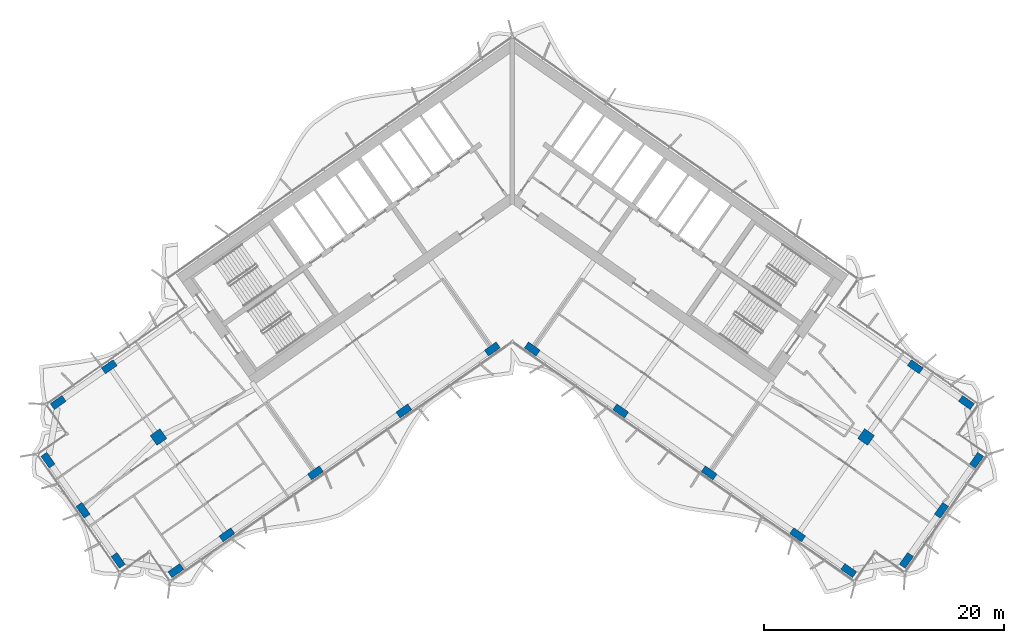
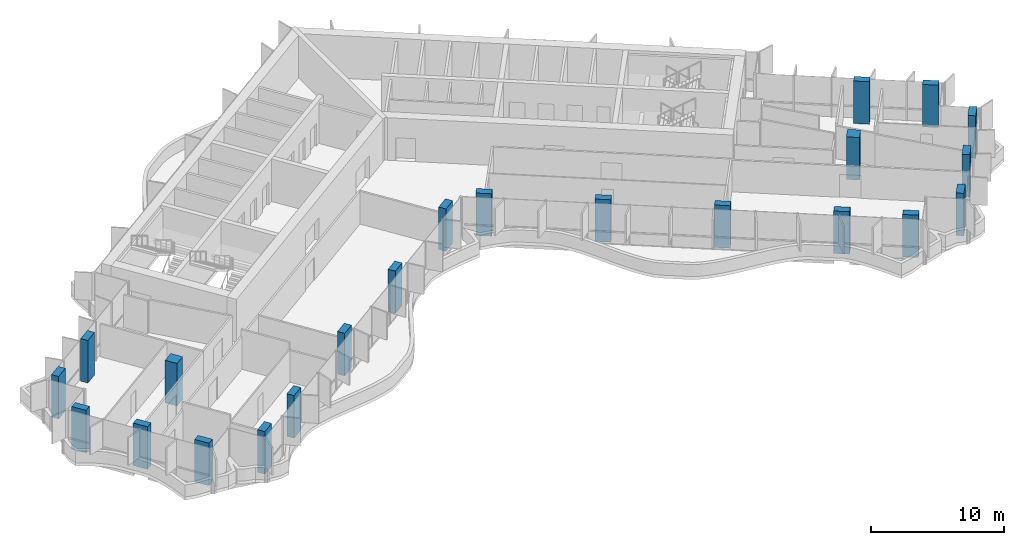
# One storey, part 1 of 22: 22 columns.
"""IFC4 building model written with IfcOpenShell, lengths in metres."""

from ifc_helpers import new_model, si_unit, direction, frame, origin, origin_2d, place, context, subcontext, project, spatial, rectangle, extrude, material, material_profile, profile_set, type_object, element, save


model = new_model("IFC4")

# Units and contexts
model_context = context("Model", 3, precision=1e-05, world=origin(), true_north=direction((0.0, 1.0)))
body_context = subcontext(model_context, "Body", "Model", "MODEL_VIEW")
ifc_project = project(units=[si_unit("LENGTHUNIT", "METRE"), si_unit("AREAUNIT", "SQUARE_METRE"), si_unit("VOLUMEUNIT", "CUBIC_METRE"), si_unit("PLANEANGLEUNIT", "RADIAN"), si_unit("MASSUNIT", "GRAM", prefix="KILO")], contexts=[model_context])

# Site, building, storey
site_placement = place(None, origin())
site = spatial("IfcSite", under=ifc_project, at=site_placement, CompositionType="ELEMENT")
building_placement = place(site_placement, origin())
building = spatial("IfcBuilding", under=site, at=building_placement, Name="Tel Ilan Convention Tower", CompositionType="ELEMENT")
storey_placement = place(building_placement, frame((0.0, 0.0, 135.89990234375)))
storey = spatial("IfcBuildingStorey", under=building, at=storey_placement, Name="L30", CompositionType="ELEMENT", Elevation=135.89990234375)

# Columns
ifc_material_1 = material(Name="Concrete C50/60", Category="concrete")
ifc_material_profile_1 = material_profile(ifc_material_1, rectangle(XDim=1.0, YDim=1.0, at=origin_2d()), Name="RC 1000x1000")
ifc_profile_set_1 = profile_set([ifc_material_profile_1], Name="Concrete C50/60")
column_type_1 = type_object("IfcColumnType", Name="Column RC 1000x1000 C50/60", PredefinedType="COLUMN", material=ifc_profile_set_1)
for number, where, z_axis, x_axis, name in (
    (1, (-29.489501953125, -20.648681640625, 0.0), (0.0, 0.0, 1.0), (-0.819152044289, -0.573576436351, 0.0), "L30 column W-M4"),
    (2, (29.489501953125, -20.648681640625, 0.0), (0.0, 0.0, 1.0), (0.819152044289, -0.573576436351, 0.0), "L30 column E-M4"),
):
    element("IfcColumn", number, at=place(storey_placement, frame(where, z_axis=z_axis, x_axis=x_axis)), inside=storey, type_object=column_type_1, Name=name, PredefinedType="COLUMN", context=body_context, shape_type="SweptSolid", body=[
        extrude(rectangle(XDim=1.0, YDim=1.0, at=origin_2d()), origin(), (0.0, 0.0, 1.0), 3.900146484375),
    ])
ifc_material_2 = material(Name="Concrete C50/60", Category="concrete")
ifc_material_profile_2 = material_profile(ifc_material_2, rectangle(XDim=1.199951171875, YDim=0.60009765625, at=origin_2d()), Name="RC 600x1200")
ifc_profile_set_2 = profile_set([ifc_material_profile_2], Name="Concrete C50/60")
column_type_2 = type_object("IfcColumnType", Name="Column RC 600x1200 C50/60", PredefinedType="COLUMN", material=ifc_profile_set_2)
for number, where, z_axis, x_axis, name in (
    (3, (-1.665283203125, -13.312744140625, 0.0), (0.0, 0.0, 1.0), (-0.819152044289, -0.573576436351, 0.0), "L30 column W-F1"),
    (4, (-9.03759765625, -18.474853515625, 0.0), (0.0, 0.0, 1.0), (-0.819152044289, -0.573576436351, 0.0), "L30 column W-F2"),
    (5, (-16.409912109375, -23.63720703125, 0.0), (0.0, 0.0, 1.0), (-0.819152044289, -0.573576436351, 0.0), "L30 column W-F3"),
    (6, (-23.782470703125, -28.79931640625, 0.0), (0.0, 0.0, 1.0), (-0.819152044289, -0.573576436351, 0.0), "L30 column W-F4"),
    (7, (-28.0419921875, -31.781982421875, 0.0), (0.0, 0.0, 1.0), (-0.819152044289, -0.573576436351, 0.0), "L30 column W-FC"),
    (8, (-33.590576171875, -14.791748046875, 0.0), (0.0, 0.0, 1.0), (-0.819152044289, -0.573576436351, 0.0), "L30 column W-B4"),
    (9, (-37.85009765625, -17.7744140625, 0.0), (0.0, 0.0, 1.0), (-0.819152044289, -0.573576436351, 0.0), "L30 column W-BC"),
    (10, (-32.846923828125, -30.934814453125, 0.0), (0.0, 0.0, 1.0), (-0.573576436351, 0.819152044289, 0.0), "L30 column W-E1"),
    (11, (-35.772216796875, -26.757080078125, 0.0), (0.0, 0.0, 1.0), (-0.573576436351, 0.819152044289, 0.0), "L30 column W-E2"),
    (12, (-38.697509765625, -22.579345703125, 0.0), (0.0, 0.0, 1.0), (-0.573576436351, 0.819152044289, 0.0), "L30 column W-E3"),
    (13, (1.665283203125, -13.312744140625, 0.0), (0.0, 0.0, 1.0), (0.819152044289, -0.573576436351, 0.0), "L30 column E-F1"),
    (14, (9.03759765625, -18.474853515625, 0.0), (0.0, 0.0, 1.0), (0.819152044289, -0.573576436351, 0.0), "L30 column E-F2"),
    (15, (16.409912109375, -23.63720703125, 0.0), (0.0, 0.0, 1.0), (0.819152044289, -0.573576436351, 0.0), "L30 column E-F3"),
    (16, (23.782470703125, -28.79931640625, 0.0), (0.0, 0.0, 1.0), (0.819152044289, -0.573576436351, 0.0), "L30 column E-F4"),
    (17, (28.0419921875, -31.781982421875, 0.0), (0.0, 0.0, 1.0), (0.819152044289, -0.573576436351, 0.0), "L30 column E-FC"),
    (18, (33.590576171875, -14.791748046875, 0.0), (0.0, 0.0, 1.0), (0.819152044289, -0.573576436351, 0.0), "L30 column E-B4"),
    (19, (37.85009765625, -17.7744140625, 0.0), (0.0, 0.0, 1.0), (0.819152044289, -0.573576436351, 0.0), "L30 column E-BC"),
    (20, (32.846923828125, -30.934814453125, 0.0), (0.0, 0.0, 1.0), (0.573576436351, 0.819152044289, 0.0), "L30 column E-E1"),
    (21, (35.772216796875, -26.757080078125, 0.0), (0.0, 0.0, 1.0), (0.573576436351, 0.819152044289, 0.0), "L30 column E-E2"),
    (22, (38.697509765625, -22.579345703125, 0.0), (0.0, 0.0, 1.0), (0.573576436351, 0.819152044289, 0.0), "L30 column E-E3"),
):
    element("IfcColumn", number, at=place(storey_placement, frame(where, z_axis=z_axis, x_axis=x_axis)), inside=storey, type_object=column_type_2, Name=name, PredefinedType="COLUMN", context=body_context, shape_type="SweptSolid", body=[
        extrude(rectangle(XDim=1.199951171875, YDim=0.60009765625, at=origin_2d()), origin(), (0.0, 0.0, 1.0), 3.900146484375),
    ])

save(model, "model.ifc")
